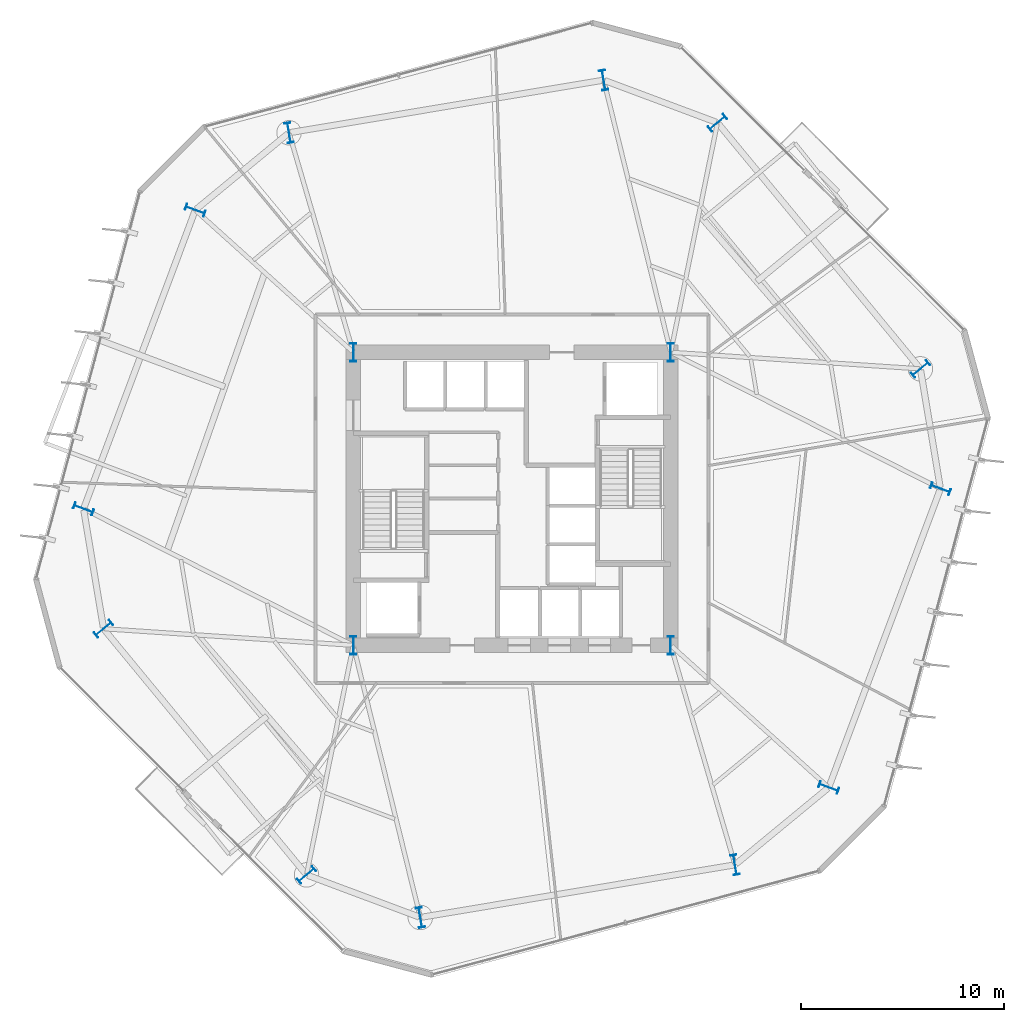
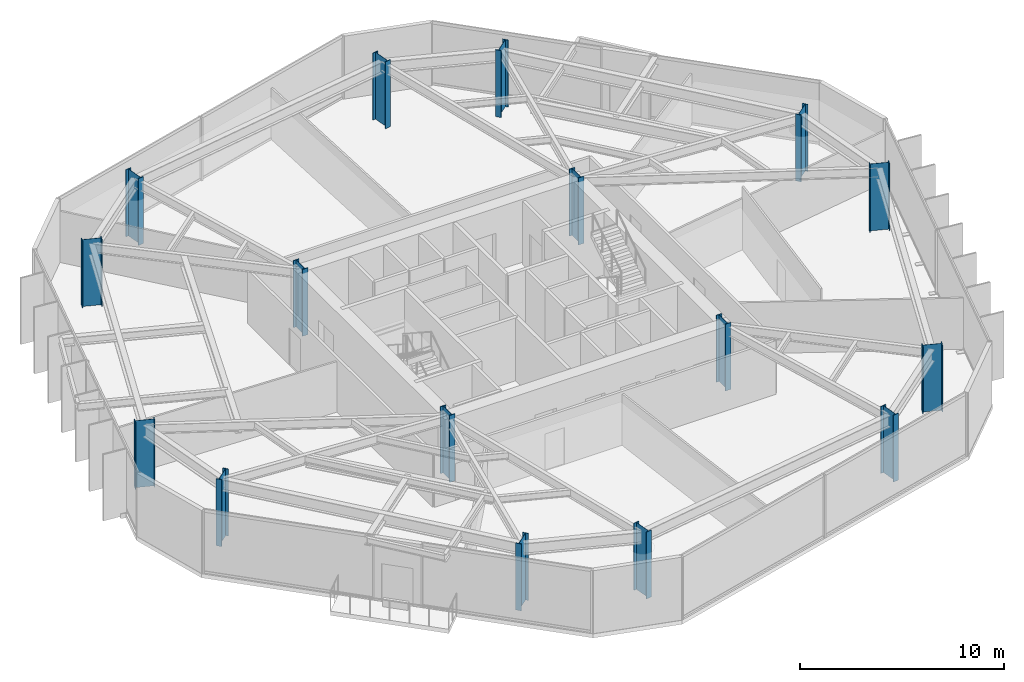
# One storey, part 1 of 10: 16 columns.
"""IFC4 building model written with IfcOpenShell, lengths in metres."""

import ifcopenshell
import ifcopenshell.guid

model = None  # the IFC model being written
_history = None  # IfcOwnerHistory: only IFC2X3 demands one
_inside = {}  # id of a spatial element -> (the spatial element, [elements in it])
_under = {}  # id of a project, library or spatial element -> (it, [spatial elements below it])
_declared = {}  # id of a project -> (the project, [libraries it declares])
_typed = {}  # id of a type object -> (the type object, [elements of that type])
_made_of = {}  # id of a material, layer set ... -> (it, [elements and type objects made of it])


def new_model(schema):
    """Start an empty IFC model of exactly this schema.

    Asked for "IFC4X3", IfcOpenShell would pick the latest addendum, in which some entities
    have other attributes; the version numbers below select the first issue.
    IFC2X3 requires an IfcOwnerHistory on every rooted entity: one is made here for all.
    """
    global model, _history
    if schema == "IFC4X3":
        model = ifcopenshell.file(schema_version=(4, 3, 0, 0))
    else:
        model = ifcopenshell.file(schema=schema)
    _inside.clear()
    _under.clear()
    _declared.clear()
    _typed.clear()
    _made_of.clear()
    _history = None
    if model.schema == "IFC2X3":
        org = make("IfcOrganization", Name="unknown")
        user = make(
            "IfcPersonAndOrganization",
            ThePerson=make("IfcPerson", FamilyName="unknown"),
            TheOrganization=org,
        )
        app = make(
            "IfcApplication",
            ApplicationDeveloper=org,
            Version="unknown",
            ApplicationFullName="unknown",
            ApplicationIdentifier="unknown",
        )
        _history = make(
            "IfcOwnerHistory",
            OwningUser=user,
            OwningApplication=app,
            ChangeAction="ADDED",
            CreationDate=0,
        )
    return model


def make(cls, **values):
    """One entity of the class cls with the attributes given. An attribute that is None is left unset."""
    return model.create_entity(
        cls, **{name: value for name, value in values.items() if value is not None}
    )


def rooted(cls, **values):
    """An entity with a GlobalId (a new one), such as an element, a storey or a relation."""
    return make(cls, GlobalId=ifcopenshell.guid.new(), OwnerHistory=_history, **values)


def si_unit(unit_type, name, prefix=None):
    """IfcSIUnit, for example si_unit("LENGTHUNIT", "METRE", prefix="MILLI")."""
    return make("IfcSIUnit", UnitType=unit_type, Prefix=prefix, Name=name)


def assignment(units):
    """IfcUnitAssignment: the units of a project."""
    return None if units is None else make("IfcUnitAssignment", Units=units)


def point(xyz):
    """IfcCartesianPoint."""
    return None if xyz is None else make("IfcCartesianPoint", Coordinates=xyz)


def direction(xyz):
    """IfcDirection."""
    return None if xyz is None else make("IfcDirection", DirectionRatios=xyz)


def frame(location, z_axis=None, x_axis=None):
    """IfcAxis2Placement3D, a coordinate frame: its origin and axes. An axis left out is left unset."""
    return make(
        "IfcAxis2Placement3D",
        Location=point(location),
        Axis=direction(z_axis),
        RefDirection=direction(x_axis),
    )


def frame_2d(location, x_axis=None):
    """IfcAxis2Placement2D, a coordinate frame in the plane: its origin and x axis."""
    return make(
        "IfcAxis2Placement2D", Location=point(location), RefDirection=direction(x_axis)
    )


def origin():
    """The frame at (0, 0, 0) with its axes left unset."""
    return frame((0.0, 0.0, 0.0))


def origin_2d():
    """The frame at (0, 0) in the plane with its x axis left unset."""
    return frame_2d((0.0, 0.0))


def place(relative_to, where):
    """IfcLocalPlacement: puts the frame where relative to a parent placement (None: the world)."""
    return make(
        "IfcLocalPlacement", PlacementRelTo=relative_to, RelativePlacement=where
    )


def context(
    kind, dimensions, precision=None, world=None, true_north=None, identifier=None
):
    """IfcGeometricRepresentationContext, for example the 3D "Model" context."""
    return make(
        "IfcGeometricRepresentationContext",
        ContextIdentifier=identifier,
        ContextType=kind,
        CoordinateSpaceDimension=dimensions,
        Precision=precision,
        WorldCoordinateSystem=world,
        TrueNorth=true_north,
    )


def subcontext(parent, identifier, kind, view, scale=None):
    """IfcGeometricRepresentationSubContext, for example "Body" below "Model"."""
    return make(
        "IfcGeometricRepresentationSubContext",
        ContextIdentifier=identifier,
        ContextType=kind,
        ParentContext=parent,
        TargetScale=scale,
        TargetView=view,
    )


def project(units=None, contexts=None):
    """IfcProject with its units and contexts."""
    return rooted(
        "IfcProject",
        Name="project",
        RepresentationContexts=contexts,
        UnitsInContext=assignment(units),
    )


def spatial(cls, under=None, at=None, **own):
    """A site, building, storey or space (cls), placed at a placement, below another one or the project."""
    s = rooted(cls, ObjectPlacement=at, **own)
    if under is not None:
        _under.setdefault(under.id(), (under, []))[1].append(s)
    return s


def profile(cls, at=None, kind="AREA", **sizes):
    """A parametric profile (cls). Its sizes go by their IFC names, for example OverallWidth=200.0."""
    return make(cls, ProfileType=kind, Position=at, **sizes)


def i_section(**sizes):
    """IfcIShapeProfileDef."""
    return profile("IfcIShapeProfileDef", **sizes)


def extrude(swept, where, along, depth):
    """IfcExtrudedAreaSolid: the profile swept, set in the frame where, extruded along a direction by depth."""
    return make(
        "IfcExtrudedAreaSolid",
        SweptArea=swept,
        Position=where,
        ExtrudedDirection=direction(along),
        Depth=depth,
    )


def shape(context_of_items, identifier, shape_type, items):
    """IfcShapeRepresentation: the items that make up one representation, for example the "Body"."""
    return make(
        "IfcShapeRepresentation",
        ContextOfItems=context_of_items,
        RepresentationIdentifier=identifier,
        RepresentationType=shape_type,
        Items=items,
    )


def material(Name=None, Category=None):
    """IfcMaterial."""
    return make("IfcMaterial", Name=Name, Category=Category)


def material_profile(
    of_material, cross_section, Name=None, Category=None, Priority=None
):
    """IfcMaterialProfile: a cross section and its material."""
    return make(
        "IfcMaterialProfile",
        Name=Name,
        Material=of_material,
        Profile=cross_section,
        Priority=Priority,
        Category=Category,
    )


def profile_set(profiles, Name=None, composite=None):
    """IfcMaterialProfileSet."""
    return make(
        "IfcMaterialProfileSet",
        Name=Name,
        MaterialProfiles=profiles,
        CompositeProfile=composite,
    )


def made_of(thing, what):
    """Note that an element or type object is made of a material, layer set ...; save() writes the relation."""
    if what is not None:
        _made_of.setdefault(what.id(), (what, []))[1].append(thing)
    return thing


def type_object(cls, material=None, **own):
    """A type object (cls), such as IfcWallType, which elements share."""
    return made_of(rooted(cls, **own), material)


def element(
    cls,
    number,
    at=None,
    inside=None,
    cuts=None,
    type_object=None,
    material=None,
    context=None,
    identifier="Body",
    shape_type=None,
    held_by="IfcProductDefinitionShape",
    body=None,
    shapes=None,
    **own,
):
    """One element of the class cls, such as IfcWall. Its Tag is "e" and its number.

    at: its placement. inside: the storey or other place that contains it. cuts: it is an
    opening in that element (IfcRelVoidsElement). A single representation is given by context,
    identifier, shape_type and body (its items); several are given by shapes. held_by: the class
    of the entity that holds the representations. save() writes the other relations.
    """
    e = rooted(cls, Tag="e%d" % number, ObjectPlacement=at, **own)
    if body is not None:
        shapes = [shape(context, identifier, shape_type, body)]
    if shapes is not None:
        e.Representation = make(held_by, Representations=shapes)
    if inside is not None:
        _inside.setdefault(inside.id(), (inside, []))[1].append(e)
    if cuts is not None:
        rooted(
            "IfcRelVoidsElement", RelatingBuildingElement=cuts, RelatedOpeningElement=e
        )
    if type_object is not None:
        _typed.setdefault(type_object.id(), (type_object, []))[1].append(e)
    return made_of(e, material)


def aggregate(whole, parts):
    """IfcRelAggregates: a whole, such as a stair, and the parts it consists of."""
    return rooted("IfcRelAggregates", RelatingObject=whole, RelatedObjects=parts)


def save(model, path):
    """Write the relations noted so far, then the file.

    IfcRelAggregates (storeys below a building ...), IfcRelContainedInSpatialStructure (elements
    in a storey), IfcRelDefinesByType, IfcRelAssociatesMaterial and IfcRelDeclares: one each for
    every whole, place, type object, material and project.
    """
    for whole, parts in _under.values():
        aggregate(whole, parts)
    for where, things in _inside.values():
        rooted(
            "IfcRelContainedInSpatialStructure",
            RelatedElements=things,
            RelatingStructure=where,
        )
    for kind, things in _typed.values():
        rooted("IfcRelDefinesByType", RelatedObjects=things, RelatingType=kind)
    for what, things in _made_of.values():
        rooted("IfcRelAssociatesMaterial", RelatedObjects=things, RelatingMaterial=what)
    for by, libraries in _declared.values():
        rooted("IfcRelDeclares", RelatingContext=by, RelatedDefinitions=libraries)
    model.write(path)


model = new_model("IFC4")

# Units and contexts
model_context = context("Model", 3, precision=1e-05, world=origin(), true_north=direction((0.0, 1.0)))
body_context = subcontext(model_context, "Body", "Model", "MODEL_VIEW")
ifc_project = project(units=[si_unit("LENGTHUNIT", "METRE"), si_unit("AREAUNIT", "SQUARE_METRE"), si_unit("VOLUMEUNIT", "CUBIC_METRE"), si_unit("PLANEANGLEUNIT", "RADIAN"), si_unit("MASSUNIT", "GRAM", prefix="KILO")], contexts=[model_context])

# Site, building, storey
site_placement = place(None, origin())
site = spatial("IfcSite", under=ifc_project, at=site_placement, CompositionType="ELEMENT")
building_placement = place(site_placement, origin())
building = spatial("IfcBuilding", under=site, at=building_placement, Name="Kranzbogen Civic Tower", CompositionType="ELEMENT")
storey_placement = place(building_placement, frame((0.0, 0.0, 80.0)))
storey = spatial("IfcBuildingStorey", under=building, at=storey_placement, Name="L19", CompositionType="ELEMENT", Elevation=80.0)

# Columns
ifc_material_1 = material(Name="Steel S355", Category="steel")
ifc_material_profile_1 = material_profile(ifc_material_1, i_section(OverallWidth=0.300048828125, OverallDepth=1.0, WebThickness=0.01904296875, FlangeThickness=0.035888671875, at=origin_2d()), Name="HEB 1000")
ifc_profile_set_1 = profile_set([ifc_material_profile_1], Name="Steel S355")
column_type_1 = type_object("IfcColumnType", Name="Structural Column HEB 1000", PredefinedType="COLUMN", material=ifc_profile_set_1)
for number, where, z_axis, x_axis, name in (
    (1, (45.072021484375, 31.385986328125, 0.0), (0.0, 0.0, 1.0), (-0.636078220278, 0.771624583388, 0.0), "L19 tower perimeter tube column 01"),
    (2, (35.09912109375, 43.48388671875, 0.0), (0.0, 0.0, 1.0), (-0.636078220278, 0.771624583388, 0.0), "L19 tower perimeter tube column 02"),
    (3, (29.5048828125, 45.575927734375, 0.0), (0.0, 0.0, 1.0), (0.986285601537, 0.165047605861, 0.0), "L19 tower perimeter tube column 03"),
    (4, (14.0419921875, 42.988037109375, 0.0), (0.0, 0.0, 1.0), (0.986285601537, 0.165047605861, 0.0), "L19 tower perimeter tube column 04"),
    (5, (9.43310546875, 39.18896484375, 0.0), (0.0, 0.0, 1.0), (0.350207381259, 0.936672189248, 0.0), "L19 tower perimeter tube column 05"),
    (6, (3.943115234375, 24.50390625, 0.0), (0.0, 0.0, 1.0), (0.350207381259, 0.936672189248, 0.0), "L19 tower perimeter tube column 06"),
    (7, (4.927978515625, 18.614013671875, 0.0), (0.0, 0.0, 1.0), (-0.636078220278, 0.771624583388, 0.0), "L19 tower perimeter tube column 07"),
    (8, (14.90087890625, 6.51611328125, 0.0), (0.0, 0.0, 1.0), (-0.636078220278, 0.771624583388, 0.0), "L19 tower perimeter tube column 08"),
    (9, (20.4951171875, 4.424072265625, 0.0), (0.0, 0.0, 1.0), (0.986285601537, 0.165047605861, 0.0), "L19 tower perimeter tube column 09"),
    (10, (35.9580078125, 7.011962890625, 0.0), (0.0, 0.0, 1.0), (0.986285601537, 0.165047605861, 0.0), "L19 tower perimeter tube column 10"),
    (11, (40.56689453125, 10.81103515625, 0.0), (0.0, 0.0, 1.0), (0.350207381259, 0.936672189248, 0.0), "L19 tower perimeter tube column 11"),
    (12, (46.056884765625, 25.49609375, 0.0), (0.0, 0.0, 1.0), (0.350207381259, 0.936672189248, 0.0), "L19 tower perimeter tube column 12"),
):
    element("IfcColumn", number, at=place(storey_placement, frame(where, z_axis=z_axis, x_axis=x_axis)), inside=storey, type_object=column_type_1, Name=name, PredefinedType="COLUMN", context=body_context, shape_type="SweptSolid", body=[
        extrude(i_section(OverallWidth=0.300048828125, OverallDepth=1.0, WebThickness=0.01904296875, FlangeThickness=0.035888671875, at=origin_2d()), origin(), (0.0, 0.0, 1.0), 4.0),
    ])
ifc_material_2 = material(Name="Steel S460", Category="steel")
ifc_material_profile_2 = material_profile(ifc_material_2, i_section(OverallWidth=0.302001953125, OverallDepth=0.909912109375, WebThickness=0.02099609375, FlangeThickness=0.0400390625, at=origin_2d()), Name="HEM 900")
ifc_profile_set_2 = profile_set([ifc_material_profile_2], Name="Steel S460")
column_type_2 = type_object("IfcColumnType", Name="Structural Column HEM 900", PredefinedType="COLUMN", material=ifc_profile_set_2)
for number, where, z_axis, x_axis, name in (
    (13, (17.199951171875, 17.800048828125, 0.0), (0.0, 0.0, 1.0), (1.0, 0.0, 0.0), "L19 composite core corner column 1"),
    (14, (32.800048828125, 17.800048828125, 0.0), (0.0, 0.0, 1.0), (1.0, 0.0, 0.0), "L19 composite core corner column 2"),
    (15, (32.800048828125, 32.199951171875, 0.0), (0.0, 0.0, 1.0), (1.0, 0.0, 0.0), "L19 composite core corner column 3"),
    (16, (17.199951171875, 32.199951171875, 0.0), (0.0, 0.0, 1.0), (1.0, 0.0, 0.0), "L19 composite core corner column 4"),
):
    element("IfcColumn", number, at=place(storey_placement, frame(where, z_axis=z_axis, x_axis=x_axis)), inside=storey, type_object=column_type_2, Name=name, PredefinedType="COLUMN", context=body_context, shape_type="SweptSolid", body=[
        extrude(i_section(OverallWidth=0.302001953125, OverallDepth=0.909912109375, WebThickness=0.02099609375, FlangeThickness=0.0400390625, at=origin_2d()), origin(), (0.0, 0.0, 1.0), 4.0),
    ])

save(model, "model.ifc")
